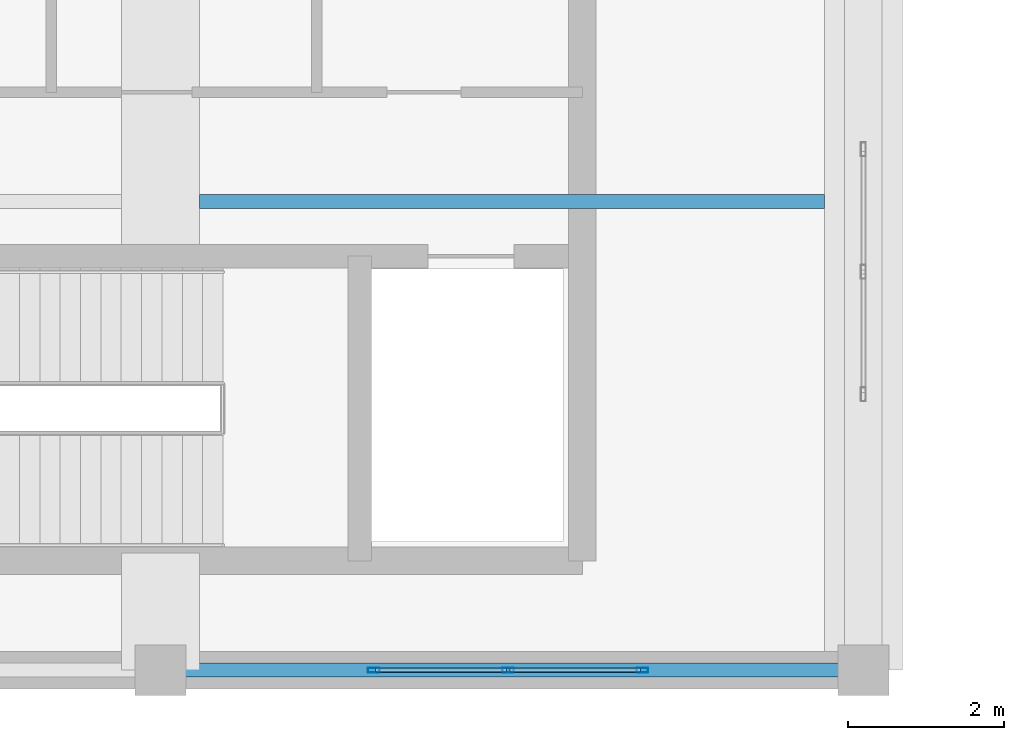
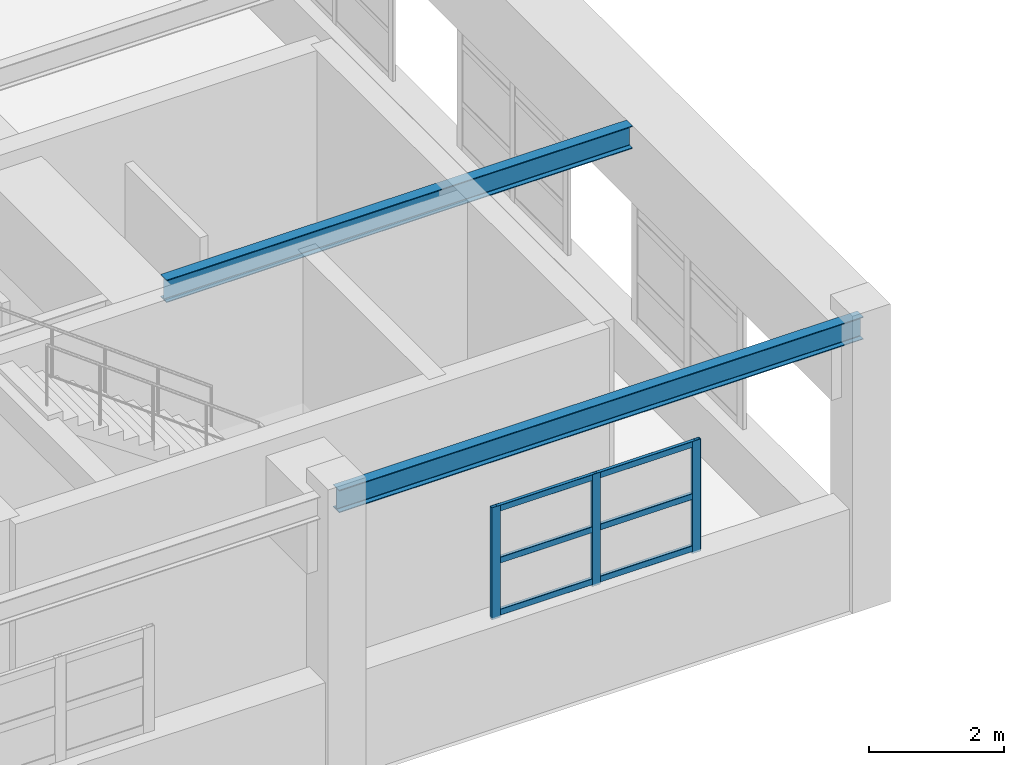
# One storey, part 19 of 197: 9 members, 2 beams, 1 element without a shape of its own.
"""IFC4 building model written with IfcOpenShell, lengths in metres."""

from ifc_helpers import new_model, si_unit, derived_unit, direction, frame, origin, origin_2d, place, context, subcontext, project, spatial, hollow_rectangle, i_section, extrude, material, layer, layer_set, material_profile, profile_set, type_object, element, aggregate, save


model = new_model("IFC4")

# Units and contexts
model_context = context("Model", 3, precision=1e-05, world=origin(), true_north=direction((0.0, 1.0)))
body_context = subcontext(model_context, "Body", "Model", "MODEL_VIEW")
ifc_project = project(units=[si_unit("LENGTHUNIT", "METRE"), si_unit("AREAUNIT", "SQUARE_METRE"), si_unit("VOLUMEUNIT", "CUBIC_METRE"), si_unit("PLANEANGLEUNIT", "RADIAN"), si_unit("MASSUNIT", "GRAM", prefix="KILO"), derived_unit("THERMALTRANSMITTANCEUNIT", [(si_unit("POWERUNIT", "WATT"), 1), (si_unit("LENGTHUNIT", "METRE"), -2), (si_unit("THERMODYNAMICTEMPERATUREUNIT", "KELVIN"), -1)])], contexts=[model_context])

# Site, building, storey
site_placement = place(None, origin())
site = spatial("IfcSite", under=ifc_project, at=site_placement, CompositionType="ELEMENT")
building_placement = place(site_placement, origin())
building = spatial("IfcBuilding", under=site, at=building_placement, Name="Almenara Railside Exhibition Hall", CompositionType="ELEMENT")
storey_placement = place(building_placement, frame((0.0, 0.0, 5.39990234375)))
storey = spatial("IfcBuildingStorey", under=building, at=storey_placement, Name="L01", CompositionType="ELEMENT", Elevation=5.39990234375)

# Curtain wall, members
ifc_material_1 = material(Name="Bronze-anodised aluminium and low-E double glazing", Category="aluminium")
ifc_layer = layer(ifc_material_1, 0.179931640625, Name="Bronze-anodised aluminium and low-E double glazing")
ifc_layer_set = layer_set([ifc_layer], Name="Bronze-anodised aluminium and low-E double glazing")
curtain_wall_type = type_object("IfcCurtainWallType", Name="Plenary Clerestory Curtain Wall 3500x2000", PredefinedType="NOTDEFINED", material=ifc_layer_set)
curtain_wall_placement = place(storey_placement, origin())
curtain_wall = element("IfcCurtainWall", 1, at=curtain_wall_placement, inside=storey, type_object=curtain_wall_type, Name="Curtain wall CW-CL5-105", PredefinedType="NOTDEFINED")
ifc_material_2 = material(Name="Bronze-anodised aluminium", Category="aluminium")
ifc_material_profile_1 = material_profile(ifc_material_2, hollow_rectangle(XDim=0.06005859375, YDim=0.14990234375, WallThickness=0.00341796875, InnerFilletRadius=0.00341796875, OuterFilletRadius=0.007080078125, at=origin_2d()), Name="ALU-MUL 60x150x3.5")
ifc_profile_set_1 = profile_set([ifc_material_profile_1], Name="Bronze-anodised aluminium")
member_type_1 = type_object("IfcMemberType", Name="Curtain Wall Mullion 60x150x3.5", PredefinedType="MULLION", material=ifc_profile_set_1)
member_1_placement = place(storey_placement, frame((59.72998046875, 0.0, 1.815185546875), z_axis=(0.0, 0.0, 1.0), x_axis=(0.0, 1.0, 0.0)))
member_1 = element("IfcMember", 2, at=member_1_placement, type_object=member_type_1, Name="CW-CL5-105 mullion 1", PredefinedType="MULLION", context=body_context, shape_type="SweptSolid", body=[
    extrude(hollow_rectangle(XDim=0.06005859375, YDim=0.14990234375, WallThickness=0.00341796875, InnerFilletRadius=0.00341796875, OuterFilletRadius=0.007080078125, at=origin_2d()), origin(), (0.0, 0.0, 1.0), 2.034912109375),
])
member_2_placement = place(storey_placement, frame((61.449951171875, 0.0, 1.815185546875), z_axis=(0.0, 0.0, 1.0), x_axis=(0.0, 1.0, 0.0)))
member_2 = element("IfcMember", 3, at=member_2_placement, type_object=member_type_1, Name="CW-CL5-105 mullion 2", PredefinedType="MULLION", context=body_context, shape_type="SweptSolid", body=[
    extrude(hollow_rectangle(XDim=0.06005859375, YDim=0.14990234375, WallThickness=0.00341796875, InnerFilletRadius=0.00341796875, OuterFilletRadius=0.007080078125, at=origin_2d()), origin(), (0.0, 0.0, 1.0), 2.034912109375),
])
member_3_placement = place(storey_placement, frame((63.169921875, 0.0, 1.815185546875), z_axis=(0.0, 0.0, 1.0), x_axis=(0.0, 1.0, 0.0)))
member_3 = element("IfcMember", 4, at=member_3_placement, type_object=member_type_1, Name="CW-CL5-105 mullion 3", PredefinedType="MULLION", context=body_context, shape_type="SweptSolid", body=[
    extrude(hollow_rectangle(XDim=0.06005859375, YDim=0.14990234375, WallThickness=0.00341796875, InnerFilletRadius=0.00341796875, OuterFilletRadius=0.007080078125, at=origin_2d()), origin(), (0.0, 0.0, 1.0), 2.034912109375),
])
ifc_material_profile_2 = material_profile(ifc_material_2, hollow_rectangle(XDim=0.06005859375, YDim=0.110107421875, WallThickness=0.0029296875, InnerFilletRadius=0.0029296875, OuterFilletRadius=0.006103515625, at=origin_2d()), Name="ALU-TRN 60x110x3")
ifc_profile_set_2 = profile_set([ifc_material_profile_2], Name="Bronze-anodised aluminium")
member_type_2 = type_object("IfcMemberType", Name="Curtain Wall Transom 60x110x3", PredefinedType="USERDEFINED", material=ifc_profile_set_2)
member_4_placement = place(storey_placement, frame((59.751953125, 0.0, 1.905029296875), z_axis=(1.0, 0.0, 0.0), x_axis=(0.0, 1.0, 0.0)))
member_4 = element("IfcMember", 5, at=member_4_placement, type_object=member_type_2, Name="CW-CL5-105 transom 1.1", ObjectType="TRANSOM", PredefinedType="USERDEFINED", context=body_context, shape_type="SweptSolid", body=[
    extrude(hollow_rectangle(XDim=0.06005859375, YDim=0.110107421875, WallThickness=0.0029296875, InnerFilletRadius=0.0029296875, OuterFilletRadius=0.006103515625, at=origin_2d()), origin(), (0.0, 0.0, 1.0), 1.676025390625),
])
member_5_placement = place(storey_placement, frame((59.751953125, 0.0, 2.85009765625), z_axis=(1.0, 0.0, 0.0), x_axis=(0.0, 1.0, 0.0)))
member_5 = element("IfcMember", 6, at=member_5_placement, type_object=member_type_2, Name="CW-CL5-105 transom 1.2", ObjectType="TRANSOM", PredefinedType="USERDEFINED", context=body_context, shape_type="SweptSolid", body=[
    extrude(hollow_rectangle(XDim=0.06005859375, YDim=0.110107421875, WallThickness=0.0029296875, InnerFilletRadius=0.0029296875, OuterFilletRadius=0.006103515625, at=origin_2d()), origin(), (0.0, 0.0, 1.0), 1.676025390625),
])
member_6_placement = place(storey_placement, frame((59.751953125, 0.0, 3.795166015625), z_axis=(1.0, 0.0, 0.0), x_axis=(0.0, 1.0, 0.0)))
member_6 = element("IfcMember", 7, at=member_6_placement, type_object=member_type_2, Name="CW-CL5-105 transom 1.3", ObjectType="TRANSOM", PredefinedType="USERDEFINED", context=body_context, shape_type="SweptSolid", body=[
    extrude(hollow_rectangle(XDim=0.06005859375, YDim=0.110107421875, WallThickness=0.0029296875, InnerFilletRadius=0.0029296875, OuterFilletRadius=0.006103515625, at=origin_2d()), origin(), (0.0, 0.0, 1.0), 1.676025390625),
])
member_7_placement = place(storey_placement, frame((61.471923828125, 0.0, 1.905029296875), z_axis=(1.0, 0.0, 0.0), x_axis=(0.0, 1.0, 0.0)))
member_7 = element("IfcMember", 8, at=member_7_placement, type_object=member_type_2, Name="CW-CL5-105 transom 2.1", ObjectType="TRANSOM", PredefinedType="USERDEFINED", context=body_context, shape_type="SweptSolid", body=[
    extrude(hollow_rectangle(XDim=0.06005859375, YDim=0.110107421875, WallThickness=0.0029296875, InnerFilletRadius=0.0029296875, OuterFilletRadius=0.006103515625, at=origin_2d()), origin(), (0.0, 0.0, 1.0), 1.676025390625),
])
member_8_placement = place(storey_placement, frame((61.471923828125, 0.0, 2.85009765625), z_axis=(1.0, 0.0, 0.0), x_axis=(0.0, 1.0, 0.0)))
member_8 = element("IfcMember", 9, at=member_8_placement, type_object=member_type_2, Name="CW-CL5-105 transom 2.2", ObjectType="TRANSOM", PredefinedType="USERDEFINED", context=body_context, shape_type="SweptSolid", body=[
    extrude(hollow_rectangle(XDim=0.06005859375, YDim=0.110107421875, WallThickness=0.0029296875, InnerFilletRadius=0.0029296875, OuterFilletRadius=0.006103515625, at=origin_2d()), origin(), (0.0, 0.0, 1.0), 1.676025390625),
])
member_9_placement = place(storey_placement, frame((61.471923828125, 0.0, 3.795166015625), z_axis=(1.0, 0.0, 0.0), x_axis=(0.0, 1.0, 0.0)))
member_9 = element("IfcMember", 10, at=member_9_placement, type_object=member_type_2, Name="CW-CL5-105 transom 2.3", ObjectType="TRANSOM", PredefinedType="USERDEFINED", context=body_context, shape_type="SweptSolid", body=[
    extrude(hollow_rectangle(XDim=0.06005859375, YDim=0.110107421875, WallThickness=0.0029296875, InnerFilletRadius=0.0029296875, OuterFilletRadius=0.006103515625, at=origin_2d()), origin(), (0.0, 0.0, 1.0), 1.676025390625),
])
aggregate(curtain_wall, [member_1, member_2, member_3, member_4, member_5, member_6, member_7, member_8, member_9])

# Beams
ifc_material_3 = material(Name="Structural steel S355JR", Category="steel")
ifc_material_profile_3 = material_profile(ifc_material_3, i_section(OverallWidth=0.1787109375, OverallDepth=0.409423828125, WebThickness=0.0087890625, FlangeThickness=0.014404296875, FilletRadius=0.01025390625, at=origin_2d()), Name="UB 406x178x67")
ifc_profile_set_3 = profile_set([ifc_material_profile_3], Name="Structural steel S355JR")
beam_type = type_object("IfcBeamType", Name="Steel Plenary Joist UB 406x178x67 S355JR", PredefinedType="JOIST", material=ifc_profile_set_3)
beam_1_placement = place(storey_placement, frame((57.0, 0.0, 4.931396484375), z_axis=(1.0, 0.0, 0.0), x_axis=(0.0, 1.0, 0.0)))
element("IfcBeam", 11, at=beam_1_placement, inside=storey, type_object=beam_type, Name="Beam 0929", PredefinedType="JOIST", context=body_context, shape_type="SweptSolid", body=[
    extrude(i_section(OverallWidth=0.1787109375, OverallDepth=0.409423828125, WebThickness=0.0087890625, FlangeThickness=0.014404296875, FilletRadius=0.01025390625, at=origin_2d()), origin(), (0.0, 0.0, 1.0), 9.0),
])
beam_2_placement = place(storey_placement, frame((57.5, 6.0, 4.931396484375), z_axis=(1.0, 0.0, 0.0), x_axis=(0.0, 1.0, 0.0)))
element("IfcBeam", 12, at=beam_2_placement, inside=storey, type_object=beam_type, Name="Beam 0930", PredefinedType="JOIST", context=body_context, shape_type="SweptSolid", body=[
    extrude(i_section(OverallWidth=0.1787109375, OverallDepth=0.409423828125, WebThickness=0.0087890625, FlangeThickness=0.014404296875, FilletRadius=0.01025390625, at=origin_2d()), origin(), (0.0, 0.0, 1.0), 8.0),
])

save(model, "model.ifc")
